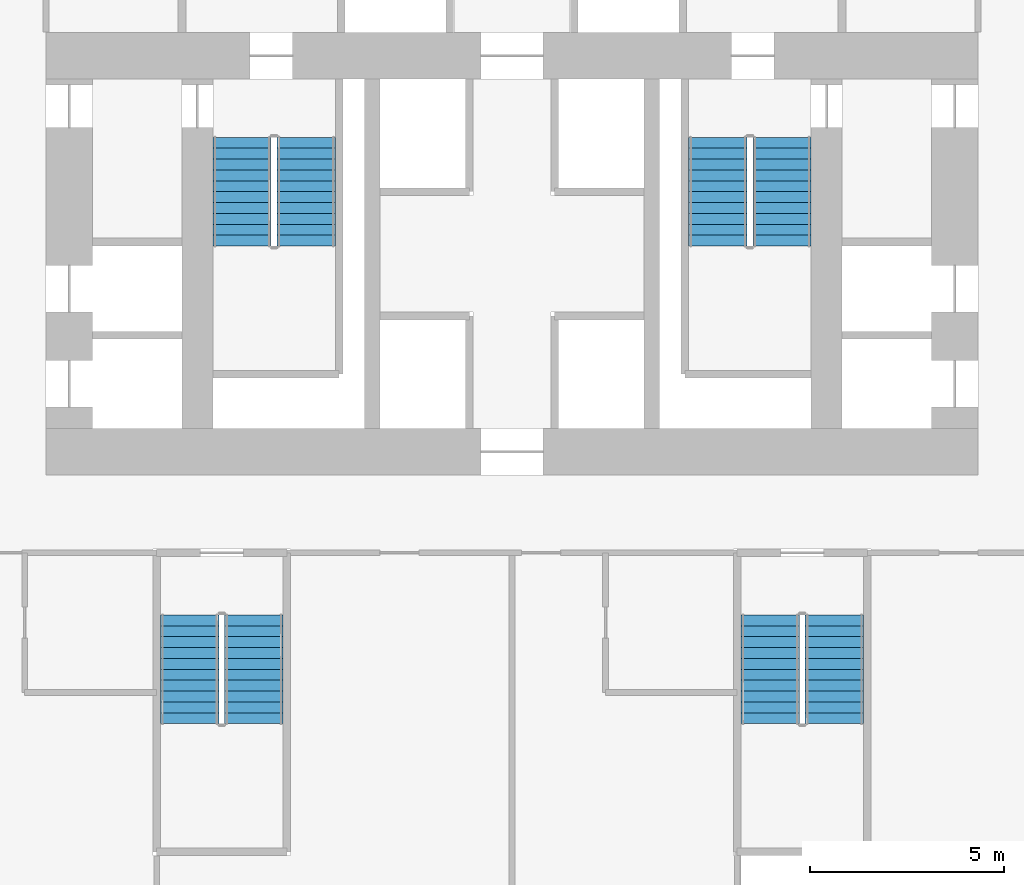
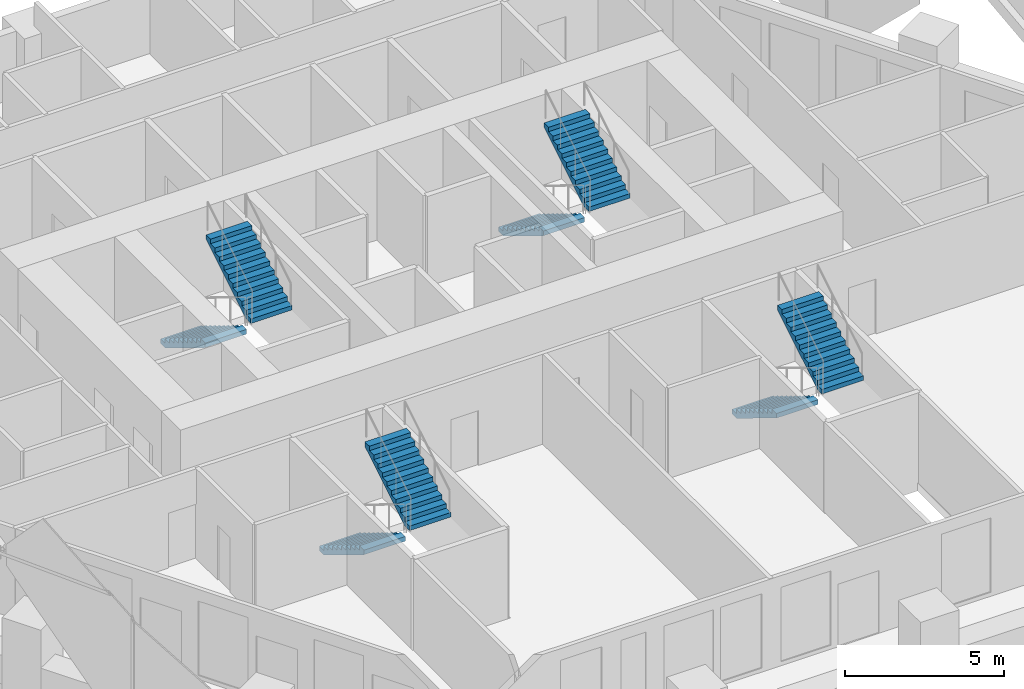
# One storey, part 13 of 16: 8 stair flights, 4 elements without a shape of their own.
"""IFC4 building model written with IfcOpenShell, lengths in metres."""

from ifc_helpers import new_model, si_unit, direction, frame, origin, place, context, subcontext, project, spatial, polyline, outline, extrude, material, type_object, element, aggregate, save


model = new_model("IFC4")

# Units and contexts
model_context = context("Model", 3, precision=1e-05, world=origin(), true_north=direction((0.0, 1.0)))
body_context = subcontext(model_context, "Body", "Model", "MODEL_VIEW")
ifc_project = project(units=[si_unit("LENGTHUNIT", "METRE"), si_unit("AREAUNIT", "SQUARE_METRE"), si_unit("VOLUMEUNIT", "CUBIC_METRE"), si_unit("PLANEANGLEUNIT", "RADIAN"), si_unit("MASSUNIT", "GRAM", prefix="KILO")], contexts=[model_context])

# Site, building, storey
site_placement = place(None, origin())
site = spatial("IfcSite", under=ifc_project, at=site_placement, CompositionType="ELEMENT")
building_placement = place(site_placement, origin())
building = spatial("IfcBuilding", under=site, at=building_placement, Name="Ostrander Bayou Hotel Tower", CompositionType="ELEMENT")
storey_placement = place(building_placement, frame((0.0, 0.0, 58.0)))
storey = spatial("IfcBuildingStorey", under=building, at=storey_placement, Name="L14", CompositionType="ELEMENT", Elevation=58.0)

# Stair, stair flights
ifc_material_1 = material(Name="Concrete f'c 45 MPa", Category="concrete")
stair_type = type_object("IfcStairType", Name="ST1 exit stair 1500 mm f'c 45 MPa", PredefinedType="HALF_TURN_STAIR", material=ifc_material_1)
stair_1_placement = place(storey_placement, origin())
stair_1 = element("IfcStair", 1, at=stair_1_placement, inside=storey, type_object=stair_type, Name="L14 exit stair A", PredefinedType="HALF_TURN_STAIR")
ifc_material_2 = material(Name="Concrete f'c 45 MPa", Category="concrete")
stair_flight_type = type_object("IfcStairFlightType", Name="SF1 stair flight 1500 mm f'c 45 MPa", PredefinedType="STRAIGHT", material=ifc_material_2)
stair_flight_1_placement = place(storey_placement, frame((-6.949951171875, 7.0, 0.0), z_axis=(0.0, 0.0, 1.0), x_axis=(0.0, -1.0, 0.0)))
stair_flight_1 = element("IfcStairFlight", 2, at=stair_flight_1_placement, type_object=stair_flight_type, Name="STA flight 1", NumberOfRisers=11, NumberOfTreads=10, PredefinedType="STRAIGHT", RiserHeight=0.170454545, TreadLength=0.28, context=body_context, shape_type="SweptSolid", body=[
    extrude(outline(polyline([(0.0, 0.0), (0.0, 0.17041015625), (0.280029296875, 0.17041015625), (0.280029296875, 0.3408203125), (0.56005859375, 0.3408203125), (0.56005859375, 0.511474609375), (0.840087890625, 0.511474609375), (0.840087890625, 0.681884765625), (1.1201171875, 0.681884765625), (1.1201171875, 0.852294921875), (1.39990234375, 0.852294921875), (1.39990234375, 1.022705078125), (1.679931640625, 1.022705078125), (1.679931640625, 1.193115234375), (1.9599609375, 1.193115234375), (1.9599609375, 1.363525390625), (2.239990234375, 1.363525390625), (2.239990234375, 1.5341796875), (2.52001953125, 1.5341796875), (2.52001953125, 1.70458984375), (2.800048828125, 1.70458984375), (2.800048828125, 1.875), (2.800048828125, 1.529052734375), (0.288330078125, 0.0), (0.0, 0.0)])), frame((0.0, 0.75, 0.0), z_axis=(0.0, -1.0, 0.0), x_axis=(1.0, 0.0, 0.0)), (0.0, 0.0, 1.0), 1.5),
])
stair_flight_2_placement = place(storey_placement, frame((-5.300048828125, 4.199951171875, 1.875), z_axis=(0.0, 0.0, 1.0), x_axis=(0.0, 1.0, 0.0)))
stair_flight_2 = element("IfcStairFlight", 3, at=stair_flight_2_placement, type_object=stair_flight_type, Name="STA flight 2", NumberOfRisers=11, NumberOfTreads=10, PredefinedType="STRAIGHT", RiserHeight=0.170454545, TreadLength=0.28, context=body_context, shape_type="SweptSolid", body=[
    extrude(outline(polyline([(0.0, 0.0), (0.0, 0.17041015625), (0.280029296875, 0.17041015625), (0.280029296875, 0.3408203125), (0.56005859375, 0.3408203125), (0.56005859375, 0.511474609375), (0.840087890625, 0.511474609375), (0.840087890625, 0.681884765625), (1.1201171875, 0.681884765625), (1.1201171875, 0.852294921875), (1.39990234375, 0.852294921875), (1.39990234375, 1.022705078125), (1.679931640625, 1.022705078125), (1.679931640625, 1.193115234375), (1.9599609375, 1.193115234375), (1.9599609375, 1.363525390625), (2.239990234375, 1.363525390625), (2.239990234375, 1.5341796875), (2.52001953125, 1.5341796875), (2.52001953125, 1.70458984375), (2.800048828125, 1.70458984375), (2.800048828125, 1.875), (2.800048828125, 1.529052734375), (0.288330078125, 0.0), (0.0, 0.0)])), frame((0.0, 0.75, 0.0), z_axis=(0.0, -1.0, 0.0), x_axis=(1.0, 0.0, 0.0)), (0.0, 0.0, 1.0), 1.5),
])
aggregate(stair_1, [stair_flight_1, stair_flight_2])

stair_2_placement = place(storey_placement, origin())
stair_2 = element("IfcStair", 4, at=stair_2_placement, inside=storey, type_object=stair_type, Name="L14 exit stair B", PredefinedType="HALF_TURN_STAIR")
stair_flight_3_placement = place(storey_placement, frame((5.300048828125, 7.0, 0.0), z_axis=(0.0, 0.0, 1.0), x_axis=(0.0, -1.0, 0.0)))
stair_flight_3 = element("IfcStairFlight", 5, at=stair_flight_3_placement, type_object=stair_flight_type, Name="STB flight 1", NumberOfRisers=11, NumberOfTreads=10, PredefinedType="STRAIGHT", RiserHeight=0.170454545, TreadLength=0.28, context=body_context, shape_type="SweptSolid", body=[
    extrude(outline(polyline([(0.0, 0.0), (0.0, 0.17041015625), (0.280029296875, 0.17041015625), (0.280029296875, 0.3408203125), (0.56005859375, 0.3408203125), (0.56005859375, 0.511474609375), (0.840087890625, 0.511474609375), (0.840087890625, 0.681884765625), (1.1201171875, 0.681884765625), (1.1201171875, 0.852294921875), (1.39990234375, 0.852294921875), (1.39990234375, 1.022705078125), (1.679931640625, 1.022705078125), (1.679931640625, 1.193115234375), (1.9599609375, 1.193115234375), (1.9599609375, 1.363525390625), (2.239990234375, 1.363525390625), (2.239990234375, 1.5341796875), (2.52001953125, 1.5341796875), (2.52001953125, 1.70458984375), (2.800048828125, 1.70458984375), (2.800048828125, 1.875), (2.800048828125, 1.529052734375), (0.288330078125, 0.0), (0.0, 0.0)])), frame((0.0, 0.75, 0.0), z_axis=(0.0, -1.0, 0.0), x_axis=(1.0, 0.0, 0.0)), (0.0, 0.0, 1.0), 1.5),
])
stair_flight_4_placement = place(storey_placement, frame((6.949951171875, 4.199951171875, 1.875), z_axis=(0.0, 0.0, 1.0), x_axis=(0.0, 1.0, 0.0)))
stair_flight_4 = element("IfcStairFlight", 6, at=stair_flight_4_placement, type_object=stair_flight_type, Name="STB flight 2", NumberOfRisers=11, NumberOfTreads=10, PredefinedType="STRAIGHT", RiserHeight=0.170454545, TreadLength=0.28, context=body_context, shape_type="SweptSolid", body=[
    extrude(outline(polyline([(0.0, 0.0), (0.0, 0.17041015625), (0.280029296875, 0.17041015625), (0.280029296875, 0.3408203125), (0.56005859375, 0.3408203125), (0.56005859375, 0.511474609375), (0.840087890625, 0.511474609375), (0.840087890625, 0.681884765625), (1.1201171875, 0.681884765625), (1.1201171875, 0.852294921875), (1.39990234375, 0.852294921875), (1.39990234375, 1.022705078125), (1.679931640625, 1.022705078125), (1.679931640625, 1.193115234375), (1.9599609375, 1.193115234375), (1.9599609375, 1.363525390625), (2.239990234375, 1.363525390625), (2.239990234375, 1.5341796875), (2.52001953125, 1.5341796875), (2.52001953125, 1.70458984375), (2.800048828125, 1.70458984375), (2.800048828125, 1.875), (2.800048828125, 1.529052734375), (0.288330078125, 0.0), (0.0, 0.0)])), frame((0.0, 0.75, 0.0), z_axis=(0.0, -1.0, 0.0), x_axis=(1.0, 0.0, 0.0)), (0.0, 0.0, 1.0), 1.5),
])
aggregate(stair_2, [stair_flight_3, stair_flight_4])

stair_3_placement = place(storey_placement, origin())
stair_3 = element("IfcStair", 7, at=stair_3_placement, inside=storey, type_object=stair_type, Name="L14 exit stair C", PredefinedType="HALF_TURN_STAIR")
stair_flight_5_placement = place(storey_placement, frame((6.64990234375, -5.300048828125, 0.0), z_axis=(0.0, 0.0, 1.0), x_axis=(0.0, -1.0, 0.0)))
stair_flight_5 = element("IfcStairFlight", 8, at=stair_flight_5_placement, type_object=stair_flight_type, Name="STC flight 1", NumberOfRisers=11, NumberOfTreads=10, PredefinedType="STRAIGHT", RiserHeight=0.170454545, TreadLength=0.28, context=body_context, shape_type="SweptSolid", body=[
    extrude(outline(polyline([(0.0, 0.0), (0.0, 0.17041015625), (0.280029296875, 0.17041015625), (0.280029296875, 0.3408203125), (0.56005859375, 0.3408203125), (0.56005859375, 0.511474609375), (0.840087890625, 0.511474609375), (0.840087890625, 0.681884765625), (1.1201171875, 0.681884765625), (1.1201171875, 0.852294921875), (1.39990234375, 0.852294921875), (1.39990234375, 1.022705078125), (1.679931640625, 1.022705078125), (1.679931640625, 1.193115234375), (1.9599609375, 1.193115234375), (1.9599609375, 1.363525390625), (2.239990234375, 1.363525390625), (2.239990234375, 1.5341796875), (2.52001953125, 1.5341796875), (2.52001953125, 1.70458984375), (2.800048828125, 1.70458984375), (2.800048828125, 1.875), (2.800048828125, 1.529052734375), (0.288330078125, 0.0), (0.0, 0.0)])), frame((0.0, 0.75, 0.0), z_axis=(0.0, -1.0, 0.0), x_axis=(1.0, 0.0, 0.0)), (0.0, 0.0, 1.0), 1.5),
])
stair_flight_6_placement = place(storey_placement, frame((8.300048828125, -8.10009765625, 1.875), z_axis=(0.0, 0.0, 1.0), x_axis=(0.0, 1.0, 0.0)))
stair_flight_6 = element("IfcStairFlight", 9, at=stair_flight_6_placement, type_object=stair_flight_type, Name="STC flight 2", NumberOfRisers=11, NumberOfTreads=10, PredefinedType="STRAIGHT", RiserHeight=0.170454545, TreadLength=0.28, context=body_context, shape_type="SweptSolid", body=[
    extrude(outline(polyline([(0.0, 0.0), (0.0, 0.17041015625), (0.280029296875, 0.17041015625), (0.280029296875, 0.3408203125), (0.56005859375, 0.3408203125), (0.56005859375, 0.511474609375), (0.840087890625, 0.511474609375), (0.840087890625, 0.681884765625), (1.1201171875, 0.681884765625), (1.1201171875, 0.852294921875), (1.39990234375, 0.852294921875), (1.39990234375, 1.022705078125), (1.679931640625, 1.022705078125), (1.679931640625, 1.193115234375), (1.9599609375, 1.193115234375), (1.9599609375, 1.363525390625), (2.239990234375, 1.363525390625), (2.239990234375, 1.5341796875), (2.52001953125, 1.5341796875), (2.52001953125, 1.70458984375), (2.800048828125, 1.70458984375), (2.800048828125, 1.875), (2.800048828125, 1.529052734375), (0.288330078125, 0.0), (0.0, 0.0)])), frame((0.0, 0.75, 0.0), z_axis=(0.0, -1.0, 0.0), x_axis=(1.0, 0.0, 0.0)), (0.0, 0.0, 1.0), 1.5),
])
aggregate(stair_3, [stair_flight_5, stair_flight_6])

stair_4_placement = place(storey_placement, origin())
stair_4 = element("IfcStair", 10, at=stair_4_placement, inside=storey, type_object=stair_type, Name="L14 exit stair D", PredefinedType="HALF_TURN_STAIR")
stair_flight_7_placement = place(storey_placement, frame((-8.300048828125, -5.300048828125, 0.0), z_axis=(0.0, 0.0, 1.0), x_axis=(0.0, -1.0, 0.0)))
stair_flight_7 = element("IfcStairFlight", 11, at=stair_flight_7_placement, type_object=stair_flight_type, Name="STD flight 1", NumberOfRisers=11, NumberOfTreads=10, PredefinedType="STRAIGHT", RiserHeight=0.170454545, TreadLength=0.28, context=body_context, shape_type="SweptSolid", body=[
    extrude(outline(polyline([(0.0, 0.0), (0.0, 0.17041015625), (0.280029296875, 0.17041015625), (0.280029296875, 0.3408203125), (0.56005859375, 0.3408203125), (0.56005859375, 0.511474609375), (0.840087890625, 0.511474609375), (0.840087890625, 0.681884765625), (1.1201171875, 0.681884765625), (1.1201171875, 0.852294921875), (1.39990234375, 0.852294921875), (1.39990234375, 1.022705078125), (1.679931640625, 1.022705078125), (1.679931640625, 1.193115234375), (1.9599609375, 1.193115234375), (1.9599609375, 1.363525390625), (2.239990234375, 1.363525390625), (2.239990234375, 1.5341796875), (2.52001953125, 1.5341796875), (2.52001953125, 1.70458984375), (2.800048828125, 1.70458984375), (2.800048828125, 1.875), (2.800048828125, 1.529052734375), (0.288330078125, 0.0), (0.0, 0.0)])), frame((0.0, 0.75, 0.0), z_axis=(0.0, -1.0, 0.0), x_axis=(1.0, 0.0, 0.0)), (0.0, 0.0, 1.0), 1.5),
])
stair_flight_8_placement = place(storey_placement, frame((-6.64990234375, -8.10009765625, 1.875), z_axis=(0.0, 0.0, 1.0), x_axis=(0.0, 1.0, 0.0)))
stair_flight_8 = element("IfcStairFlight", 12, at=stair_flight_8_placement, type_object=stair_flight_type, Name="STD flight 2", NumberOfRisers=11, NumberOfTreads=10, PredefinedType="STRAIGHT", RiserHeight=0.170454545, TreadLength=0.28, context=body_context, shape_type="SweptSolid", body=[
    extrude(outline(polyline([(0.0, 0.0), (0.0, 0.17041015625), (0.280029296875, 0.17041015625), (0.280029296875, 0.3408203125), (0.56005859375, 0.3408203125), (0.56005859375, 0.511474609375), (0.840087890625, 0.511474609375), (0.840087890625, 0.681884765625), (1.1201171875, 0.681884765625), (1.1201171875, 0.852294921875), (1.39990234375, 0.852294921875), (1.39990234375, 1.022705078125), (1.679931640625, 1.022705078125), (1.679931640625, 1.193115234375), (1.9599609375, 1.193115234375), (1.9599609375, 1.363525390625), (2.239990234375, 1.363525390625), (2.239990234375, 1.5341796875), (2.52001953125, 1.5341796875), (2.52001953125, 1.70458984375), (2.800048828125, 1.70458984375), (2.800048828125, 1.875), (2.800048828125, 1.529052734375), (0.288330078125, 0.0), (0.0, 0.0)])), frame((0.0, 0.75, 0.0), z_axis=(0.0, -1.0, 0.0), x_axis=(1.0, 0.0, 0.0)), (0.0, 0.0, 1.0), 1.5),
])
aggregate(stair_4, [stair_flight_7, stair_flight_8])

save(model, "model.ifc")
